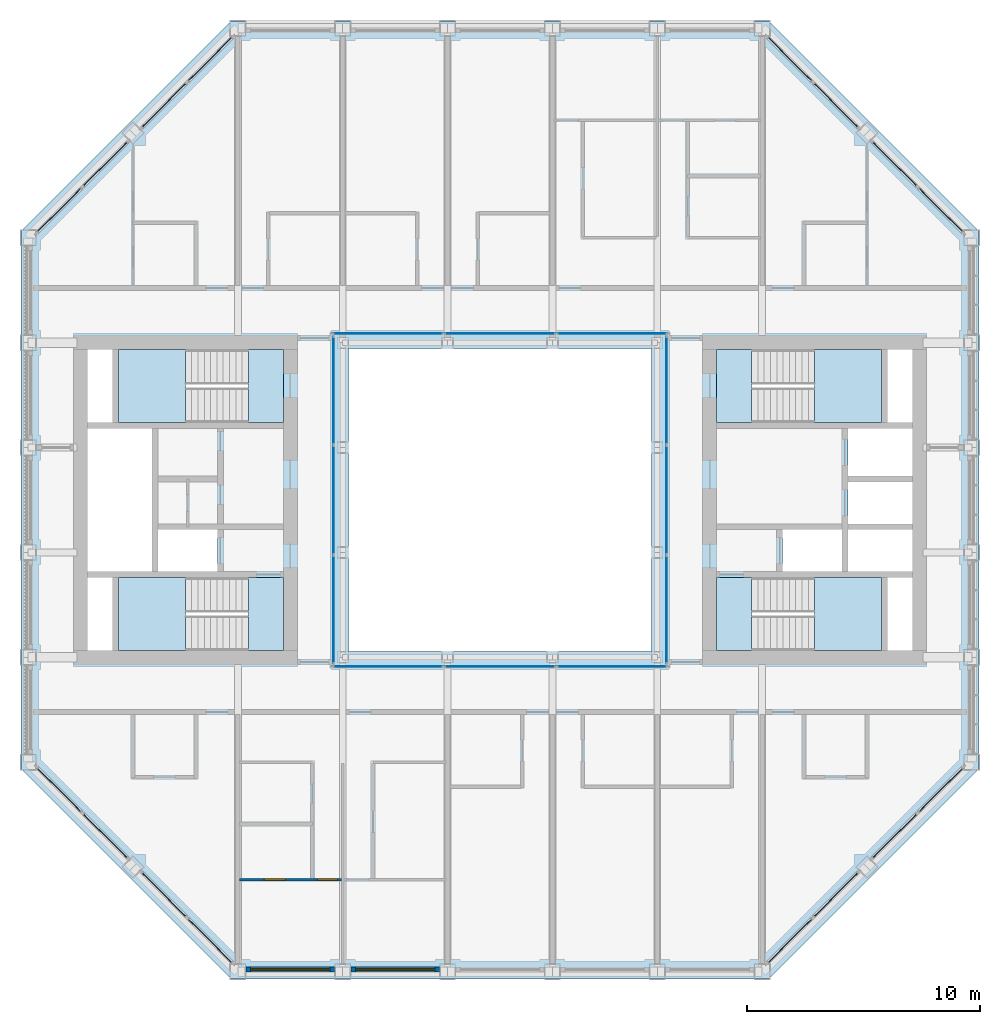
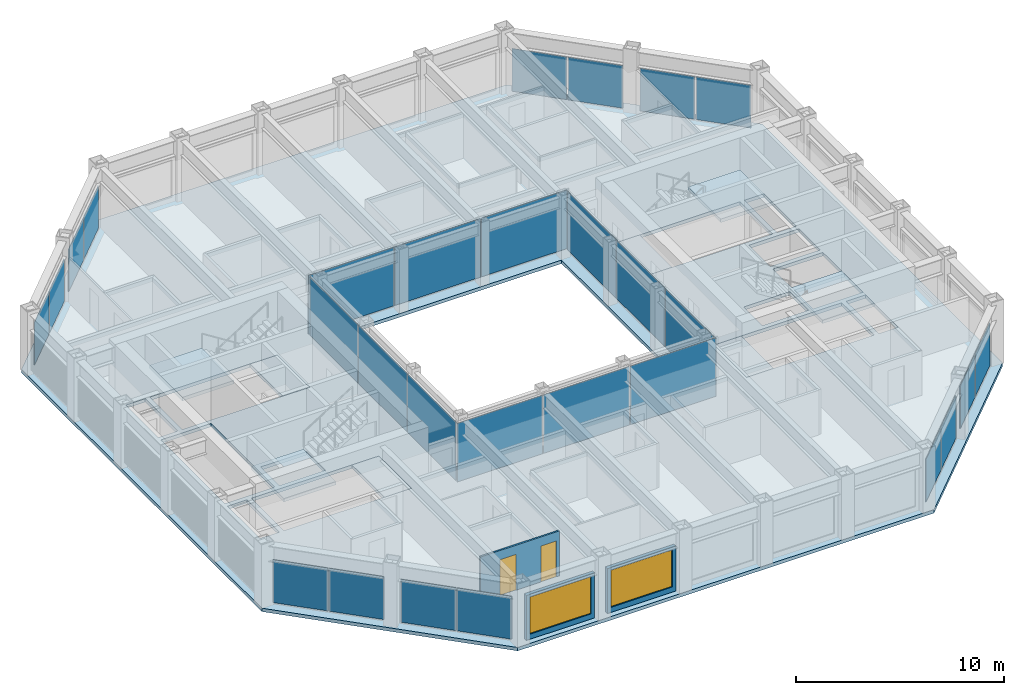
# One storey, part 8 of 18: 28 plates, 9 slabs, 3 walls, 2 doors, 2 windows, 4 openings, 16 elements without a shape of their own.
"""IFC4 building model written with IfcOpenShell, lengths in metres."""

from ifc_helpers import new_model, si_unit, direction, frame, frame_2d, origin, origin_2d, place, context, subcontext, project, spatial, polyline, rectangle, outline, extrude, material, layer, layer_set, type_object, element, fill, aggregate, save


model = new_model("IFC4")

# Units and contexts
model_context = context("Model", 3, precision=1e-05, world=origin(), true_north=direction((0.0, 1.0)))
body_context = subcontext(model_context, "Body", "Model", "MODEL_VIEW")
ifc_project = project(units=[si_unit("LENGTHUNIT", "METRE"), si_unit("AREAUNIT", "SQUARE_METRE"), si_unit("VOLUMEUNIT", "CUBIC_METRE"), si_unit("PLANEANGLEUNIT", "RADIAN"), si_unit("MASSUNIT", "GRAM", prefix="KILO")], contexts=[model_context])

# Site, building, storey
site_placement = place(None, origin())
site = spatial("IfcSite", under=ifc_project, at=site_placement, CompositionType="ELEMENT")
building_placement = place(site_placement, origin())
building = spatial("IfcBuilding", under=site, at=building_placement, Name="Msasa Ring Tower", CompositionType="ELEMENT")
storey_placement = place(building_placement, frame((0.0, 0.0, 227.050048828125)))
storey = spatial("IfcBuildingStorey", under=building, at=storey_placement, Name="L59", CompositionType="ELEMENT", Elevation=227.050048828125)

# Curtain wall, plates
ifc_material_1 = material(Name="Aluminium curtain wall with clear glass", Category="aluminium")
curtain_wall_type_1 = type_object("IfcCurtainWallType", Name="CW-C CHAMFER CORNER CURTAIN WALL", PredefinedType="NOTDEFINED", material=ifc_material_1)
curtain_wall_1_placement = place(storey_placement, origin())
curtain_wall_1 = element("IfcCurtainWall", 1, at=curtain_wall_1_placement, inside=storey, type_object=curtain_wall_type_1, Name="Chamfer corner curtain wall SE L59", PredefinedType="NOTDEFINED")
ifc_material_2 = material(Name="Clear laminated insulating glass unit", Category="glass")
ifc_layer_1 = layer(ifc_material_2, 0.031982421875)
ifc_layer_set_1 = layer_set([ifc_layer_1], Name="CW-C GLASS PANEL 32")
plate_type_1 = type_object("IfcPlateType", Name="CW-C GLASS PANEL 32", PredefinedType="CURTAIN_PANEL", material=ifc_layer_set_1)
plate_1_placement = place(storey_placement, frame((12.44140625, -18.917236328125, 0.06494140625), z_axis=(0.0, 0.0, 1.0), x_axis=(0.707106781187, 0.707106781187, 0.0)))
plate_1 = element("IfcPlate", 2, at=plate_1_placement, type_object=plate_type_1, Name="CW-C panel 1.1", PredefinedType="CURTAIN_PANEL", context=body_context, shape_type="SweptSolid", body=[
    extrude(rectangle(XDim=2.7294921875, YDim=0.031982421875, at=origin_2d()), origin(), (0.0, 0.0, 1.0), 2.4990234375),
])
plate_2_placement = place(storey_placement, frame((14.417236328125, -16.94140625, 0.06494140625), z_axis=(0.0, 0.0, 1.0), x_axis=(0.707106781187, 0.707106781187, 0.0)))
plate_2 = element("IfcPlate", 3, at=plate_2_placement, type_object=plate_type_1, Name="CW-C panel 2.1", PredefinedType="CURTAIN_PANEL", context=body_context, shape_type="SweptSolid", body=[
    extrude(rectangle(XDim=2.7294921875, YDim=0.031982421875, at=origin_2d()), origin(), (0.0, 0.0, 1.0), 2.4990234375),
])
aggregate(curtain_wall_1, [plate_1, plate_2])

curtain_wall_2_placement = place(storey_placement, origin())
curtain_wall_2 = element("IfcCurtainWall", 4, at=curtain_wall_2_placement, inside=storey, type_object=curtain_wall_type_1, Name="Chamfer corner curtain wall SE L59", PredefinedType="NOTDEFINED")
plate_3_placement = place(storey_placement, frame((16.94140625, -14.417236328125, 0.06494140625), z_axis=(0.0, 0.0, 1.0), x_axis=(0.707106781187, 0.707106781187, 0.0)))
plate_3 = element("IfcPlate", 5, at=plate_3_placement, type_object=plate_type_1, Name="CW-C panel 1.1", PredefinedType="CURTAIN_PANEL", context=body_context, shape_type="SweptSolid", body=[
    extrude(rectangle(XDim=2.7294921875, YDim=0.031982421875, at=origin_2d()), origin(), (0.0, 0.0, 1.0), 2.4990234375),
])
plate_4_placement = place(storey_placement, frame((18.917236328125, -12.44140625, 0.06494140625), z_axis=(0.0, 0.0, 1.0), x_axis=(0.707106781187, 0.707106781187, 0.0)))
plate_4 = element("IfcPlate", 6, at=plate_4_placement, type_object=plate_type_1, Name="CW-C panel 2.1", PredefinedType="CURTAIN_PANEL", context=body_context, shape_type="SweptSolid", body=[
    extrude(rectangle(XDim=2.7294921875, YDim=0.031982421875, at=origin_2d()), origin(), (0.0, 0.0, 1.0), 2.4990234375),
])
aggregate(curtain_wall_2, [plate_3, plate_4])

curtain_wall_3_placement = place(storey_placement, origin())
curtain_wall_3 = element("IfcCurtainWall", 7, at=curtain_wall_3_placement, inside=storey, type_object=curtain_wall_type_1, Name="Chamfer corner curtain wall NE L59", PredefinedType="NOTDEFINED")
plate_5_placement = place(storey_placement, frame((14.417236328125, 16.94140625, 0.06494140625), z_axis=(0.0, 0.0, 1.0), x_axis=(-0.707106781187, 0.707106781187, 0.0)))
plate_5 = element("IfcPlate", 8, at=plate_5_placement, type_object=plate_type_1, Name="CW-C panel 1.1", PredefinedType="CURTAIN_PANEL", context=body_context, shape_type="SweptSolid", body=[
    extrude(rectangle(XDim=2.7294921875, YDim=0.031982421875, at=origin_2d()), origin(), (0.0, 0.0, 1.0), 2.4990234375),
])
plate_6_placement = place(storey_placement, frame((12.44140625, 18.917236328125, 0.06494140625), z_axis=(0.0, 0.0, 1.0), x_axis=(-0.707106781187, 0.707106781187, 0.0)))
plate_6 = element("IfcPlate", 9, at=plate_6_placement, type_object=plate_type_1, Name="CW-C panel 2.1", PredefinedType="CURTAIN_PANEL", context=body_context, shape_type="SweptSolid", body=[
    extrude(rectangle(XDim=2.7294921875, YDim=0.031982421875, at=origin_2d()), origin(), (0.0, 0.0, 1.0), 2.4990234375),
])
aggregate(curtain_wall_3, [plate_5, plate_6])

curtain_wall_4_placement = place(storey_placement, origin())
curtain_wall_4 = element("IfcCurtainWall", 10, at=curtain_wall_4_placement, inside=storey, type_object=curtain_wall_type_1, Name="Chamfer corner curtain wall NE L59", PredefinedType="NOTDEFINED")
plate_7_placement = place(storey_placement, frame((18.917236328125, 12.44140625, 0.06494140625), z_axis=(0.0, 0.0, 1.0), x_axis=(-0.707106781187, 0.707106781187, 0.0)))
plate_7 = element("IfcPlate", 11, at=plate_7_placement, type_object=plate_type_1, Name="CW-C panel 1.1", PredefinedType="CURTAIN_PANEL", context=body_context, shape_type="SweptSolid", body=[
    extrude(rectangle(XDim=2.7294921875, YDim=0.031982421875, at=origin_2d()), origin(), (0.0, 0.0, 1.0), 2.4990234375),
])
plate_8_placement = place(storey_placement, frame((16.94140625, 14.417236328125, 0.06494140625), z_axis=(0.0, 0.0, 1.0), x_axis=(-0.707106781187, 0.707106781187, 0.0)))
plate_8 = element("IfcPlate", 12, at=plate_8_placement, type_object=plate_type_1, Name="CW-C panel 2.1", PredefinedType="CURTAIN_PANEL", context=body_context, shape_type="SweptSolid", body=[
    extrude(rectangle(XDim=2.7294921875, YDim=0.031982421875, at=origin_2d()), origin(), (0.0, 0.0, 1.0), 2.4990234375),
])
aggregate(curtain_wall_4, [plate_7, plate_8])

curtain_wall_5_placement = place(storey_placement, origin())
curtain_wall_5 = element("IfcCurtainWall", 13, at=curtain_wall_5_placement, inside=storey, type_object=curtain_wall_type_1, Name="Chamfer corner curtain wall NW L59", PredefinedType="NOTDEFINED")
plate_9_placement = place(storey_placement, frame((-16.94140625, 14.417236328125, 0.06494140625), z_axis=(0.0, 0.0, 1.0), x_axis=(-0.707106781187, -0.707106781187, 0.0)))
plate_9 = element("IfcPlate", 14, at=plate_9_placement, type_object=plate_type_1, Name="CW-C panel 1.1", PredefinedType="CURTAIN_PANEL", context=body_context, shape_type="SweptSolid", body=[
    extrude(rectangle(XDim=2.7294921875, YDim=0.031982421875, at=origin_2d()), origin(), (0.0, 0.0, 1.0), 2.4990234375),
])
plate_10_placement = place(storey_placement, frame((-18.917236328125, 12.44140625, 0.06494140625), z_axis=(0.0, 0.0, 1.0), x_axis=(-0.707106781187, -0.707106781187, 0.0)))
plate_10 = element("IfcPlate", 15, at=plate_10_placement, type_object=plate_type_1, Name="CW-C panel 2.1", PredefinedType="CURTAIN_PANEL", context=body_context, shape_type="SweptSolid", body=[
    extrude(rectangle(XDim=2.7294921875, YDim=0.031982421875, at=origin_2d()), origin(), (0.0, 0.0, 1.0), 2.4990234375),
])
aggregate(curtain_wall_5, [plate_9, plate_10])

curtain_wall_6_placement = place(storey_placement, origin())
curtain_wall_6 = element("IfcCurtainWall", 16, at=curtain_wall_6_placement, inside=storey, type_object=curtain_wall_type_1, Name="Chamfer corner curtain wall NW L59", PredefinedType="NOTDEFINED")
plate_11_placement = place(storey_placement, frame((-12.44140625, 18.917236328125, 0.06494140625), z_axis=(0.0, 0.0, 1.0), x_axis=(-0.707106781187, -0.707106781187, 0.0)))
plate_11 = element("IfcPlate", 17, at=plate_11_placement, type_object=plate_type_1, Name="CW-C panel 1.1", PredefinedType="CURTAIN_PANEL", context=body_context, shape_type="SweptSolid", body=[
    extrude(rectangle(XDim=2.7294921875, YDim=0.031982421875, at=origin_2d()), origin(), (0.0, 0.0, 1.0), 2.4990234375),
])
plate_12_placement = place(storey_placement, frame((-14.417236328125, 16.94140625, 0.06494140625), z_axis=(0.0, 0.0, 1.0), x_axis=(-0.707106781187, -0.707106781187, 0.0)))
plate_12 = element("IfcPlate", 18, at=plate_12_placement, type_object=plate_type_1, Name="CW-C panel 2.1", PredefinedType="CURTAIN_PANEL", context=body_context, shape_type="SweptSolid", body=[
    extrude(rectangle(XDim=2.7294921875, YDim=0.031982421875, at=origin_2d()), origin(), (0.0, 0.0, 1.0), 2.4990234375),
])
aggregate(curtain_wall_6, [plate_11, plate_12])

curtain_wall_7_placement = place(storey_placement, origin())
curtain_wall_7 = element("IfcCurtainWall", 19, at=curtain_wall_7_placement, inside=storey, type_object=curtain_wall_type_1, Name="Chamfer corner curtain wall SW L59", PredefinedType="NOTDEFINED")
plate_13_placement = place(storey_placement, frame((-18.917236328125, -12.44140625, 0.06494140625), z_axis=(0.0, 0.0, 1.0), x_axis=(0.707106781187, -0.707106781187, 0.0)))
plate_13 = element("IfcPlate", 20, at=plate_13_placement, type_object=plate_type_1, Name="CW-C panel 1.1", PredefinedType="CURTAIN_PANEL", context=body_context, shape_type="SweptSolid", body=[
    extrude(rectangle(XDim=2.7294921875, YDim=0.031982421875, at=origin_2d()), origin(), (0.0, 0.0, 1.0), 2.4990234375),
])
plate_14_placement = place(storey_placement, frame((-16.94140625, -14.417236328125, 0.06494140625), z_axis=(0.0, 0.0, 1.0), x_axis=(0.707106781187, -0.707106781187, 0.0)))
plate_14 = element("IfcPlate", 21, at=plate_14_placement, type_object=plate_type_1, Name="CW-C panel 2.1", PredefinedType="CURTAIN_PANEL", context=body_context, shape_type="SweptSolid", body=[
    extrude(rectangle(XDim=2.7294921875, YDim=0.031982421875, at=origin_2d()), origin(), (0.0, 0.0, 1.0), 2.4990234375),
])
aggregate(curtain_wall_7, [plate_13, plate_14])

curtain_wall_8_placement = place(storey_placement, origin())
curtain_wall_8 = element("IfcCurtainWall", 22, at=curtain_wall_8_placement, inside=storey, type_object=curtain_wall_type_1, Name="Chamfer corner curtain wall SW L59", PredefinedType="NOTDEFINED")
plate_15_placement = place(storey_placement, frame((-14.417236328125, -16.94140625, 0.06494140625), z_axis=(0.0, 0.0, 1.0), x_axis=(0.707106781187, -0.707106781187, 0.0)))
plate_15 = element("IfcPlate", 23, at=plate_15_placement, type_object=plate_type_1, Name="CW-C panel 1.1", PredefinedType="CURTAIN_PANEL", context=body_context, shape_type="SweptSolid", body=[
    extrude(rectangle(XDim=2.7294921875, YDim=0.031982421875, at=origin_2d()), origin(), (0.0, 0.0, 1.0), 2.4990234375),
])
plate_16_placement = place(storey_placement, frame((-12.44140625, -18.917236328125, 0.06494140625), z_axis=(0.0, 0.0, 1.0), x_axis=(0.707106781187, -0.707106781187, 0.0)))
plate_16 = element("IfcPlate", 24, at=plate_16_placement, type_object=plate_type_1, Name="CW-C panel 2.1", PredefinedType="CURTAIN_PANEL", context=body_context, shape_type="SweptSolid", body=[
    extrude(rectangle(XDim=2.7294921875, YDim=0.031982421875, at=origin_2d()), origin(), (0.0, 0.0, 1.0), 2.4990234375),
])
aggregate(curtain_wall_8, [plate_15, plate_16])

ifc_material_3 = material(Name="Aluminium curtain wall with clear glass", Category="aluminium")
curtain_wall_type_2 = type_object("IfcCurtainWallType", Name="CW-W LIGHT WELL CURTAIN WALL", PredefinedType="NOTDEFINED", material=ifc_material_3)
curtain_wall_9_placement = place(storey_placement, origin())
curtain_wall_9 = element("IfcCurtainWall", 25, at=curtain_wall_9_placement, inside=storey, type_object=curtain_wall_type_2, Name="Light well curtain wall N L59", PredefinedType="NOTDEFINED")
ifc_material_4 = material(Name="Clear laminated insulating glass unit", Category="glass")
ifc_layer_2 = layer(ifc_material_4, 0.028076171875)
ifc_layer_set_2 = layer_set([ifc_layer_2], Name="CW-W GLASS PANEL 28")
plate_type_2 = type_object("IfcPlateType", Name="CW-W GLASS PANEL 28", PredefinedType="CURTAIN_PANEL", material=ifc_layer_set_2)
plate_17_placement = place(storey_placement, frame((-4.804931640625, 7.14990234375, 0.06005859375), z_axis=(0.0, 0.0, 1.0), x_axis=(1.0, 0.0, 0.0)))
plate_17 = element("IfcPlate", 26, at=plate_17_placement, type_object=plate_type_2, Name="CW-W panel 1.1", PredefinedType="CURTAIN_PANEL", context=body_context, shape_type="SweptSolid", body=[
    extrude(rectangle(XDim=4.72998046875, YDim=0.028076171875, at=origin_2d()), origin(), (0.0, 0.0, 1.0), 3.429931640625),
])
plate_18_placement = place(storey_placement, frame((0.0, 7.14990234375, 0.06005859375), z_axis=(0.0, 0.0, 1.0), x_axis=(1.0, 0.0, 0.0)))
plate_18 = element("IfcPlate", 27, at=plate_18_placement, type_object=plate_type_2, Name="CW-W panel 2.1", PredefinedType="CURTAIN_PANEL", context=body_context, shape_type="SweptSolid", body=[
    extrude(rectangle(XDim=4.760009765625, YDim=0.028076171875, at=origin_2d()), origin(), (0.0, 0.0, 1.0), 3.429931640625),
])
plate_19_placement = place(storey_placement, frame((4.804931640625, 7.14990234375, 0.06005859375), z_axis=(0.0, 0.0, 1.0), x_axis=(1.0, 0.0, 0.0)))
plate_19 = element("IfcPlate", 28, at=plate_19_placement, type_object=plate_type_2, Name="CW-W panel 3.1", PredefinedType="CURTAIN_PANEL", context=body_context, shape_type="SweptSolid", body=[
    extrude(rectangle(XDim=4.72998046875, YDim=0.028076171875, at=origin_2d()), origin(), (0.0, 0.0, 1.0), 3.429931640625),
])
aggregate(curtain_wall_9, [plate_17, plate_18, plate_19])

curtain_wall_10_placement = place(storey_placement, origin())
curtain_wall_10 = element("IfcCurtainWall", 29, at=curtain_wall_10_placement, inside=storey, type_object=curtain_wall_type_2, Name="Light well curtain wall S L59", PredefinedType="NOTDEFINED")
plate_20_placement = place(storey_placement, frame((-4.804931640625, -7.14990234375, 0.06005859375), z_axis=(0.0, 0.0, 1.0), x_axis=(1.0, 0.0, 0.0)))
plate_20 = element("IfcPlate", 30, at=plate_20_placement, type_object=plate_type_2, Name="CW-W panel 1.1", PredefinedType="CURTAIN_PANEL", context=body_context, shape_type="SweptSolid", body=[
    extrude(rectangle(XDim=4.72998046875, YDim=0.028076171875, at=origin_2d()), origin(), (0.0, 0.0, 1.0), 3.429931640625),
])
plate_21_placement = place(storey_placement, frame((0.0, -7.14990234375, 0.06005859375), z_axis=(0.0, 0.0, 1.0), x_axis=(1.0, 0.0, 0.0)))
plate_21 = element("IfcPlate", 31, at=plate_21_placement, type_object=plate_type_2, Name="CW-W panel 2.1", PredefinedType="CURTAIN_PANEL", context=body_context, shape_type="SweptSolid", body=[
    extrude(rectangle(XDim=4.760009765625, YDim=0.028076171875, at=origin_2d()), origin(), (0.0, 0.0, 1.0), 3.429931640625),
])
plate_22_placement = place(storey_placement, frame((4.804931640625, -7.14990234375, 0.06005859375), z_axis=(0.0, 0.0, 1.0), x_axis=(1.0, 0.0, 0.0)))
plate_22 = element("IfcPlate", 32, at=plate_22_placement, type_object=plate_type_2, Name="CW-W panel 3.1", PredefinedType="CURTAIN_PANEL", context=body_context, shape_type="SweptSolid", body=[
    extrude(rectangle(XDim=4.72998046875, YDim=0.028076171875, at=origin_2d()), origin(), (0.0, 0.0, 1.0), 3.429931640625),
])
aggregate(curtain_wall_10, [plate_20, plate_21, plate_22])

curtain_wall_11_placement = place(storey_placement, origin())
curtain_wall_11 = element("IfcCurtainWall", 33, at=curtain_wall_11_placement, inside=storey, type_object=curtain_wall_type_2, Name="Light well curtain wall E L59", PredefinedType="NOTDEFINED")
plate_23_placement = place(storey_placement, frame((7.14990234375, -4.6982421875, 0.06005859375), z_axis=(0.0, 0.0, 1.0), x_axis=(0.0, 1.0, 0.0)))
plate_23 = element("IfcPlate", 34, at=plate_23_placement, type_object=plate_type_2, Name="CW-W panel 1.1", PredefinedType="CURTAIN_PANEL", context=body_context, shape_type="SweptSolid", body=[
    extrude(rectangle(XDim=4.623291015625, YDim=0.028076171875, at=origin_2d()), origin(), (0.0, 0.0, 1.0), 3.429931640625),
])
plate_24_placement = place(storey_placement, frame((7.14990234375, 0.0, 0.06005859375), z_axis=(0.0, 0.0, 1.0), x_axis=(0.0, 1.0, 0.0)))
plate_24 = element("IfcPlate", 35, at=plate_24_placement, type_object=plate_type_2, Name="CW-W panel 2.1", PredefinedType="CURTAIN_PANEL", context=body_context, shape_type="SweptSolid", body=[
    extrude(rectangle(XDim=4.6533203125, YDim=0.028076171875, at=origin_2d()), origin(), (0.0, 0.0, 1.0), 3.429931640625),
])
plate_25_placement = place(storey_placement, frame((7.14990234375, 4.6982421875, 0.06005859375), z_axis=(0.0, 0.0, 1.0), x_axis=(0.0, 1.0, 0.0)))
plate_25 = element("IfcPlate", 36, at=plate_25_placement, type_object=plate_type_2, Name="CW-W panel 3.1", PredefinedType="CURTAIN_PANEL", context=body_context, shape_type="SweptSolid", body=[
    extrude(rectangle(XDim=4.623291015625, YDim=0.028076171875, at=origin_2d()), origin(), (0.0, 0.0, 1.0), 3.429931640625),
])
aggregate(curtain_wall_11, [plate_23, plate_24, plate_25])

curtain_wall_12_placement = place(storey_placement, origin())
curtain_wall_12 = element("IfcCurtainWall", 37, at=curtain_wall_12_placement, inside=storey, type_object=curtain_wall_type_2, Name="Light well curtain wall W L59", PredefinedType="NOTDEFINED")
plate_26_placement = place(storey_placement, frame((-7.14990234375, -4.6982421875, 0.06005859375), z_axis=(0.0, 0.0, 1.0), x_axis=(0.0, 1.0, 0.0)))
plate_26 = element("IfcPlate", 38, at=plate_26_placement, type_object=plate_type_2, Name="CW-W panel 1.1", PredefinedType="CURTAIN_PANEL", context=body_context, shape_type="SweptSolid", body=[
    extrude(rectangle(XDim=4.623291015625, YDim=0.028076171875, at=origin_2d()), origin(), (0.0, 0.0, 1.0), 3.429931640625),
])
plate_27_placement = place(storey_placement, frame((-7.14990234375, 0.0, 0.06005859375), z_axis=(0.0, 0.0, 1.0), x_axis=(0.0, 1.0, 0.0)))
plate_27 = element("IfcPlate", 39, at=plate_27_placement, type_object=plate_type_2, Name="CW-W panel 2.1", PredefinedType="CURTAIN_PANEL", context=body_context, shape_type="SweptSolid", body=[
    extrude(rectangle(XDim=4.6533203125, YDim=0.028076171875, at=origin_2d()), origin(), (0.0, 0.0, 1.0), 3.429931640625),
])
plate_28_placement = place(storey_placement, frame((-7.14990234375, 4.6982421875, 0.06005859375), z_axis=(0.0, 0.0, 1.0), x_axis=(0.0, 1.0, 0.0)))
plate_28 = element("IfcPlate", 40, at=plate_28_placement, type_object=plate_type_2, Name="CW-W panel 3.1", PredefinedType="CURTAIN_PANEL", context=body_context, shape_type="SweptSolid", body=[
    extrude(rectangle(XDim=4.623291015625, YDim=0.028076171875, at=origin_2d()), origin(), (0.0, 0.0, 1.0), 3.429931640625),
])
aggregate(curtain_wall_12, [plate_26, plate_27, plate_28])

# Stair, slabs
ifc_material_5 = material(Name="Concrete C40/50", Category="concrete")
stair_type = type_object("IfcStairType", Name="STC CORE STAIR 22 RISERS 170.5", PredefinedType="HALF_TURN_STAIR", material=ifc_material_5)
stair_1_placement = place(storey_placement, origin())
stair_1 = element("IfcStair", 41, at=stair_1_placement, inside=storey, type_object=stair_type, Name="Core stair SEA L59", PredefinedType="HALF_TURN_STAIR")
ifc_material_6 = material(Name="Concrete C40/50", Category="concrete")
ifc_layer_3 = layer(ifc_material_6, 0.199951171875)
ifc_layer_set_3 = layer_set([ifc_layer_3], Name="LD1 CORE STAIR LANDING 200")
slab_type_1 = type_object("IfcSlabType", Name="LD1 CORE STAIR LANDING 200", PredefinedType="LANDING", material=ifc_layer_set_3)
slab_1_placement = place(storey_placement, frame((0.0, 0.0, -0.199951171875)))
slab_1 = element("IfcSlab", 42, at=slab_1_placement, type_object=slab_type_1, Name="SEA landing 1", PredefinedType="LANDING", context=body_context, shape_type="SweptSolid", body=[
    extrude(outline(polyline([(9.300048828125, -6.449951171875), (10.800048828125, -6.449951171875), (10.800048828125, -3.324951171875), (9.300048828125, -3.324951171875), (9.300048828125, -6.449951171875)])), origin(), (0.0, 0.0, 1.0), 0.199951171875),
])
slab_2_placement = place(storey_placement, frame((0.0, 0.0, 1.675048828125)))
slab_2 = element("IfcSlab", 43, at=slab_2_placement, type_object=slab_type_1, Name="SEA landing 2", PredefinedType="LANDING", context=body_context, shape_type="SweptSolid", body=[
    extrude(outline(polyline([(13.5, -6.449951171875), (16.375, -6.449951171875), (16.375, -3.324951171875), (13.5, -3.324951171875), (13.5, -6.449951171875)])), origin(), (0.0, 0.0, 1.0), 0.199951171875),
])
aggregate(stair_1, [slab_1, slab_2])

stair_2_placement = place(storey_placement, origin())
stair_2 = element("IfcStair", 44, at=stair_2_placement, inside=storey, type_object=stair_type, Name="Core stair SEB L59", PredefinedType="HALF_TURN_STAIR")
slab_3_placement = place(storey_placement, frame((0.0, 0.0, -0.199951171875)))
slab_3 = element("IfcSlab", 45, at=slab_3_placement, type_object=slab_type_1, Name="SEB landing 1", PredefinedType="LANDING", context=body_context, shape_type="SweptSolid", body=[
    extrude(outline(polyline([(9.300048828125, 3.324951171875), (10.800048828125, 3.324951171875), (10.800048828125, 6.449951171875), (9.300048828125, 6.449951171875), (9.300048828125, 3.324951171875)])), origin(), (0.0, 0.0, 1.0), 0.199951171875),
])
slab_4_placement = place(storey_placement, frame((0.0, 0.0, 1.675048828125)))
slab_4 = element("IfcSlab", 46, at=slab_4_placement, type_object=slab_type_1, Name="SEB landing 2", PredefinedType="LANDING", context=body_context, shape_type="SweptSolid", body=[
    extrude(outline(polyline([(13.5, 3.324951171875), (16.375, 3.324951171875), (16.375, 6.449951171875), (13.5, 6.449951171875), (13.5, 3.324951171875)])), origin(), (0.0, 0.0, 1.0), 0.199951171875),
])
aggregate(stair_2, [slab_3, slab_4])

stair_3_placement = place(storey_placement, origin())
stair_3 = element("IfcStair", 47, at=stair_3_placement, inside=storey, type_object=stair_type, Name="Core stair SWA L59", PredefinedType="HALF_TURN_STAIR")
slab_5_placement = place(storey_placement, frame((0.0, 0.0, -0.199951171875)))
slab_5 = element("IfcSlab", 48, at=slab_5_placement, type_object=slab_type_1, Name="SWA landing 1", PredefinedType="LANDING", context=body_context, shape_type="SweptSolid", body=[
    extrude(outline(polyline([(-10.800048828125, -6.449951171875), (-9.300048828125, -6.449951171875), (-9.300048828125, -3.324951171875), (-10.800048828125, -3.324951171875), (-10.800048828125, -6.449951171875)])), origin(), (0.0, 0.0, 1.0), 0.199951171875),
])
slab_6_placement = place(storey_placement, frame((0.0, 0.0, 1.675048828125)))
slab_6 = element("IfcSlab", 49, at=slab_6_placement, type_object=slab_type_1, Name="SWA landing 2", PredefinedType="LANDING", context=body_context, shape_type="SweptSolid", body=[
    extrude(outline(polyline([(-16.375, -6.449951171875), (-13.5, -6.449951171875), (-13.5, -3.324951171875), (-16.375, -3.324951171875), (-16.375, -6.449951171875)])), origin(), (0.0, 0.0, 1.0), 0.199951171875),
])
aggregate(stair_3, [slab_5, slab_6])

stair_4_placement = place(storey_placement, origin())
stair_4 = element("IfcStair", 50, at=stair_4_placement, inside=storey, type_object=stair_type, Name="Core stair SWB L59", PredefinedType="HALF_TURN_STAIR")
slab_7_placement = place(storey_placement, frame((0.0, 0.0, -0.199951171875)))
slab_7 = element("IfcSlab", 51, at=slab_7_placement, type_object=slab_type_1, Name="SWB landing 1", PredefinedType="LANDING", context=body_context, shape_type="SweptSolid", body=[
    extrude(outline(polyline([(-10.800048828125, 3.324951171875), (-9.300048828125, 3.324951171875), (-9.300048828125, 6.449951171875), (-10.800048828125, 6.449951171875), (-10.800048828125, 3.324951171875)])), origin(), (0.0, 0.0, 1.0), 0.199951171875),
])
slab_8_placement = place(storey_placement, frame((0.0, 0.0, 1.675048828125)))
slab_8 = element("IfcSlab", 52, at=slab_8_placement, type_object=slab_type_1, Name="SWB landing 2", PredefinedType="LANDING", context=body_context, shape_type="SweptSolid", body=[
    extrude(outline(polyline([(-16.375, 3.324951171875), (-13.5, 3.324951171875), (-13.5, 6.449951171875), (-16.375, 6.449951171875), (-16.375, 3.324951171875)])), origin(), (0.0, 0.0, 1.0), 0.199951171875),
])
aggregate(stair_4, [slab_7, slab_8])

# Slab
ifc_material_7 = material(Name="Concrete C40/50", Category="concrete")
ifc_layer_4 = layer(ifc_material_7, 0.199951171875)
ifc_layer_set_4 = layer_set([ifc_layer_4], Name="S8 SUITE FLOOR 200")
slab_type_2 = type_object("IfcSlabType", Name="S8 SUITE FLOOR 200", PredefinedType="FLOOR", material=ifc_layer_set_4)
slab_9_placement = place(storey_placement, frame((0.0, 0.0, -0.199951171875)))
element("IfcSlab", 53, at=slab_9_placement, inside=storey, type_object=slab_type_2, Name="Floor slab L59", PredefinedType="FLOOR", context=body_context, shape_type="SweptSolid", body=[
    extrude(outline(polyline([(-11.550048828125, -20.550048828125), (11.550048828125, -20.550048828125), (20.550048828125, -11.550048828125), (20.550048828125, 11.550048828125), (11.550048828125, 20.550048828125), (-11.550048828125, 20.550048828125), (-20.550048828125, 11.550048828125), (-20.550048828125, -11.550048828125), (-11.550048828125, -20.550048828125)]), holes=[polyline([(-6.5, -6.5), (6.5, -6.5), (6.5, 6.5), (-6.5, 6.5), (-6.5, -6.5)]), polyline([(9.300048828125, -6.449951171875), (16.375, -6.449951171875), (16.375, -3.324951171875), (9.300048828125, -3.324951171875), (9.300048828125, -6.449951171875)]), polyline([(9.300048828125, 3.324951171875), (16.375, 3.324951171875), (16.375, 6.449951171875), (9.300048828125, 6.449951171875), (9.300048828125, 3.324951171875)]), polyline([(12.125, -3.074951171875), (14.675048828125, -3.074951171875), (14.675048828125, -1.27490234375), (12.125, -1.27490234375), (12.125, -3.074951171875)]), polyline([(16.625, -6.449951171875), (17.699951171875, -6.449951171875), (17.699951171875, -3.324951171875), (16.625, -3.324951171875), (16.625, -6.449951171875)]), polyline([(16.625, 3.324951171875), (17.699951171875, 3.324951171875), (17.699951171875, 6.449951171875), (16.625, 6.449951171875), (16.625, 3.324951171875)]), polyline([(14.925048828125, -3.074951171875), (17.699951171875, -3.074951171875), (17.699951171875, -1.27490234375), (14.925048828125, -1.27490234375), (14.925048828125, -3.074951171875)]), polyline([(14.925048828125, -1.02490234375), (17.699951171875, -1.02490234375), (17.699951171875, 0.77490234375), (14.925048828125, 0.77490234375), (14.925048828125, -1.02490234375)]), polyline([(14.925048828125, 1.02490234375), (17.699951171875, 1.02490234375), (17.699951171875, 3.074951171875), (14.925048828125, 3.074951171875), (14.925048828125, 1.02490234375)]), polyline([(-16.375, -6.449951171875), (-9.300048828125, -6.449951171875), (-9.300048828125, -3.324951171875), (-16.375, -3.324951171875), (-16.375, -6.449951171875)]), polyline([(-16.375, 3.324951171875), (-9.300048828125, 3.324951171875), (-9.300048828125, 6.449951171875), (-16.375, 6.449951171875), (-16.375, 3.324951171875)]), polyline([(-14.675048828125, -3.074951171875), (-12.125, -3.074951171875), (-12.125, -1.27490234375), (-14.675048828125, -1.27490234375), (-14.675048828125, -3.074951171875)]), polyline([(-17.699951171875, -6.449951171875), (-16.625, -6.449951171875), (-16.625, -3.324951171875), (-17.699951171875, -3.324951171875), (-17.699951171875, -6.449951171875)]), polyline([(-17.699951171875, 3.324951171875), (-16.625, 3.324951171875), (-16.625, 6.449951171875), (-17.699951171875, 6.449951171875), (-17.699951171875, 3.324951171875)]), polyline([(-17.699951171875, -3.074951171875), (-14.925048828125, -3.074951171875), (-14.925048828125, 3.074951171875), (-17.699951171875, 3.074951171875), (-17.699951171875, -3.074951171875)])]), origin(), (0.0, 0.0, 1.0), 0.199951171875),
])

# Wall, opening, window
ifc_material_8 = material(Name="Terracotta rainscreen on blockwork", Category="masonry")
ifc_layer_5 = layer(ifc_material_8, 0.199951171875)
ifc_layer_set_5 = layer_set([ifc_layer_5], Name="FW1 TERRACOTTA-LINED INFILL BAY WALL 200")
wall_type_1 = type_object("IfcWallType", Name="FW1 TERRACOTTA-LINED INFILL BAY WALL 200", PredefinedType="SOLIDWALL", material=ifc_layer_set_5)
wall_1_placement = place(storey_placement, frame((-10.89501953125, -20.14990234375, 0.0), z_axis=(0.0, 0.0, 1.0), x_axis=(1.0, 0.0, 0.0)))
wall_1 = element("IfcWall", 54, at=wall_1_placement, inside=storey, type_object=wall_type_1, Name="Infill bay wall S L59 00", PredefinedType="SOLIDWALL", context=body_context, shape_type="SweptSolid", body=[
    extrude(rectangle(XDim=3.7900390625, YDim=0.199951171875, at=frame_2d((1.89501953125, 0.0))), origin(), (0.0, 0.0, 1.0), 2.62890625),
])
opening_1_placement = place(wall_1_placement, frame((0.195068359375, 0.0, 0.300048828125)))
opening_1 = element("IfcOpeningElement", 55, at=opening_1_placement, cuts=wall_1, Name="Opening WN3", PredefinedType="OPENING", context=body_context, shape_type="SweptSolid", body=[
    extrude(rectangle(XDim=3.39990234375, YDim=2.178955078125, at=frame_2d((1.699951171875, 1.08935546875))), frame((0.0, 0.10986328125, 0.0), z_axis=(0.0, -1.0, 0.0), x_axis=(1.0, 0.0, 0.0)), (0.0, 0.0, 1.0), 0.219970703125),
])
ifc_material_9 = material(Name="Aluminium frame with clear glass", Category="aluminium")
window_type = type_object("IfcWindowType", Name="WN3 SUITE WINDOW 3400x2179", PartitioningType="SINGLE_PANEL", PredefinedType="WINDOW", material=ifc_material_9)
window_1_placement = place(opening_1_placement, origin())
window_1 = element("IfcWindow", 56, at=window_1_placement, inside=storey, type_object=window_type, Name="Window S L59 00", OverallHeight=2.178955078125, OverallWidth=3.39990234375, PartitioningType="SINGLE_PANEL", PredefinedType="WINDOW", context=body_context, shape_type="SweptSolid", body=[
    extrude(rectangle(XDim=3.39990234375, YDim=2.178955078125, at=frame_2d((1.699951171875, 1.08935546875))), frame((0.0, 0.030029296875, 0.0), z_axis=(0.0, -1.0, 0.0), x_axis=(1.0, 0.0, 0.0)), (0.0, 0.0, 1.0), 0.06005859375),
])
fill(opening_1, window_1)

wall_2_placement = place(storey_placement, frame((-6.39501953125, -20.14990234375, 0.0), z_axis=(0.0, 0.0, 1.0), x_axis=(1.0, 0.0, 0.0)))
wall_2 = element("IfcWall", 57, at=wall_2_placement, inside=storey, type_object=wall_type_1, Name="Infill bay wall S L59 01", PredefinedType="SOLIDWALL", context=body_context, shape_type="SweptSolid", body=[
    extrude(rectangle(XDim=3.7900390625, YDim=0.199951171875, at=frame_2d((1.89501953125, 0.0))), origin(), (0.0, 0.0, 1.0), 2.62890625),
])
opening_2_placement = place(wall_2_placement, frame((0.195068359375, 0.0, 0.300048828125)))
opening_2 = element("IfcOpeningElement", 58, at=opening_2_placement, cuts=wall_2, Name="Opening WN3", PredefinedType="OPENING", context=body_context, shape_type="SweptSolid", body=[
    extrude(rectangle(XDim=3.39990234375, YDim=2.178955078125, at=frame_2d((1.699951171875, 1.08935546875))), frame((0.0, 0.10986328125, 0.0), z_axis=(0.0, -1.0, 0.0), x_axis=(1.0, 0.0, 0.0)), (0.0, 0.0, 1.0), 0.219970703125),
])
window_2_placement = place(opening_2_placement, origin())
window_2 = element("IfcWindow", 59, at=window_2_placement, inside=storey, type_object=window_type, Name="Window S L59 01", OverallHeight=2.178955078125, OverallWidth=3.39990234375, PartitioningType="SINGLE_PANEL", PredefinedType="WINDOW", context=body_context, shape_type="SweptSolid", body=[
    extrude(rectangle(XDim=3.39990234375, YDim=2.178955078125, at=frame_2d((1.699951171875, 1.08935546875))), frame((0.0, 0.030029296875, 0.0), z_axis=(0.0, -1.0, 0.0), x_axis=(1.0, 0.0, 0.0)), (0.0, 0.0, 1.0), 0.06005859375),
])
fill(opening_2, window_2)

# Wall, openings, doors
ifc_material_10 = material(Name="Gypsum board on steel studs", Category="steel")
ifc_layer_6 = layer(ifc_material_10, 0.10009765625)
ifc_layer_set_6 = layer_set([ifc_layer_6], Name="PT2 STUD PARTITION 100")
wall_type_2 = type_object("IfcWallType", Name="PT2 STUD PARTITION 100", PredefinedType="PARTITIONING", material=ifc_layer_set_6)
wall_3_placement = place(storey_placement, frame((-11.18994140625, -16.300048828125, 0.0), z_axis=(0.0, 0.0, 1.0), x_axis=(1.0, 0.0, 0.0)))
wall_3 = element("IfcWall", 60, at=wall_3_placement, inside=storey, type_object=wall_type_2, Name="Partition L59-JS00SY1", PredefinedType="PARTITIONING", context=body_context, shape_type="SweptSolid", body=[
    extrude(rectangle(XDim=4.389892578125, YDim=0.10009765625, at=frame_2d((2.19482421875, 0.0))), origin(), (0.0, 0.0, 1.0), 2.62890625),
])
opening_3_placement = place(wall_3_placement, frame((3.364990234375, 0.0, 0.0)))
opening_3 = element("IfcOpeningElement", 61, at=opening_3_placement, cuts=wall_3, Name="Opening SC-050", PredefinedType="OPENING", context=body_context, shape_type="SweptSolid", body=[
    extrude(rectangle(XDim=0.85009765625, YDim=2.10009765625, at=frame_2d((0.425048828125, 1.050048828125))), frame((0.0, 0.06005859375, 0.0), z_axis=(0.0, -1.0, 0.0), x_axis=(1.0, 0.0, 0.0)), (0.0, 0.0, 1.0), 0.1201171875),
])
opening_4_placement = place(wall_3_placement, frame((1.080078125, 0.0, 0.0)))
opening_4 = element("IfcOpeningElement", 62, at=opening_4_placement, cuts=wall_3, Name="Opening SC-049", PredefinedType="OPENING", context=body_context, shape_type="SweptSolid", body=[
    extrude(rectangle(XDim=0.89990234375, YDim=2.10009765625, at=frame_2d((0.449951171875, 1.050048828125))), frame((0.0, 0.06005859375, 0.0), z_axis=(0.0, -1.0, 0.0), x_axis=(1.0, 0.0, 0.0)), (0.0, 0.0, 1.0), 0.1201171875),
])
ifc_material_11 = material(Name="Timber door leaf in a steel frame", Category="steel")
door_type_1 = type_object("IfcDoorType", Name="D14 BEDROOM DOOR 850x2100", OperationType="SINGLE_SWING_LEFT", PredefinedType="DOOR", material=ifc_material_11)
door_1_placement = place(opening_3_placement, origin())
door_1 = element("IfcDoor", 63, at=door_1_placement, inside=storey, type_object=door_type_1, Name="Door L59-JS00R1", OperationType="SINGLE_SWING_RIGHT", OverallHeight=2.10009765625, OverallWidth=0.85009765625, PredefinedType="DOOR", context=body_context, shape_type="SweptSolid", body=[
    extrude(rectangle(XDim=0.85009765625, YDim=2.10009765625, at=frame_2d((0.425048828125, 1.050048828125))), frame((0.0, 0.02490234375, 0.0), z_axis=(0.0, -1.0, 0.0), x_axis=(1.0, 0.0, 0.0)), (0.0, 0.0, 1.0), 0.050048828125),
])
fill(opening_3, door_1)
ifc_material_12 = material(Name="Timber door leaf in a steel frame", Category="steel")
door_type_2 = type_object("IfcDoorType", Name="D3 BATHROOM DOOR 900x2100", OperationType="SINGLE_SWING_LEFT", PredefinedType="DOOR", material=ifc_material_12)
door_2_placement = place(opening_4_placement, origin())
door_2 = element("IfcDoor", 64, at=door_2_placement, inside=storey, type_object=door_type_2, Name="Door L59-JS00B1", OperationType="SINGLE_SWING_LEFT", OverallHeight=2.10009765625, OverallWidth=0.89990234375, PredefinedType="DOOR", context=body_context, shape_type="SweptSolid", body=[
    extrude(rectangle(XDim=0.89990234375, YDim=2.10009765625, at=frame_2d((0.449951171875, 1.050048828125))), frame((0.0, 0.02490234375, 0.0), z_axis=(0.0, -1.0, 0.0), x_axis=(1.0, 0.0, 0.0)), (0.0, 0.0, 1.0), 0.050048828125),
])
fill(opening_4, door_2)

save(model, "model.ifc")
